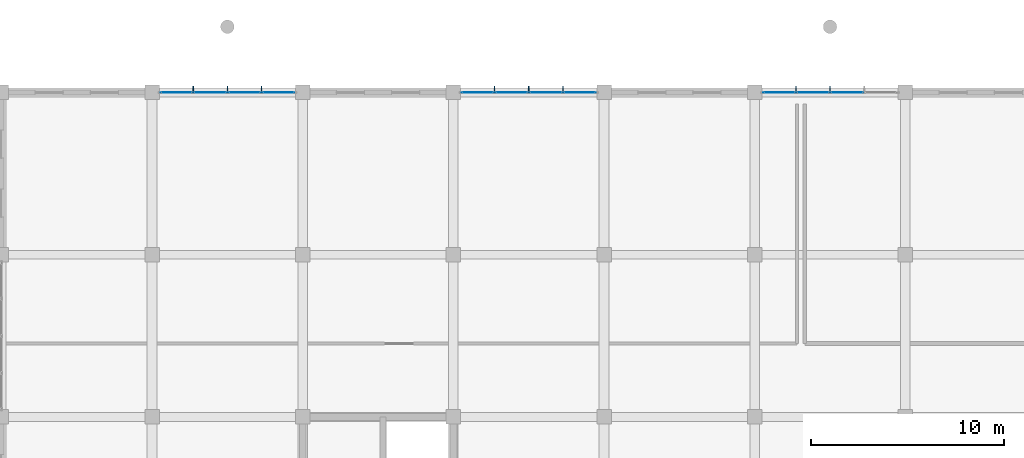
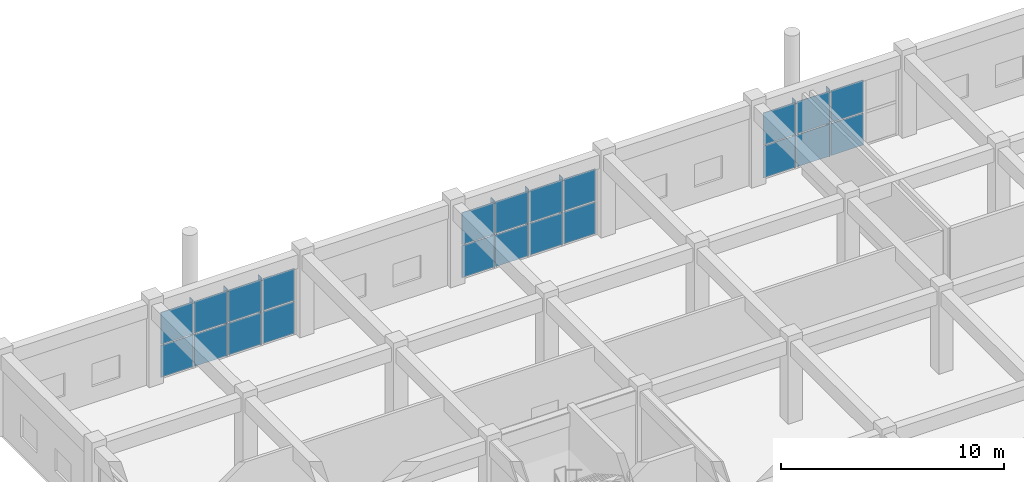
# One storey, part 155 of 175: 30 plates, 3 elements without a shape of their own.
"""IFC4 building model written with IfcOpenShell, lengths in metres."""

from ifc_helpers import new_model, si_unit, direction, frame, origin, origin_2d, place, context, subcontext, project, spatial, polyline, rectangle, outline, extrude, material, layer, layer_set, type_object, element, aggregate, save


model = new_model("IFC4")

# Units and contexts
model_context = context("Model", 3, precision=1e-05, world=origin(), true_north=direction((0.0, 1.0)))
body_context = subcontext(model_context, "Body", "Model", "MODEL_VIEW")
ifc_project = project(units=[si_unit("LENGTHUNIT", "METRE"), si_unit("AREAUNIT", "SQUARE_METRE"), si_unit("VOLUMEUNIT", "CUBIC_METRE"), si_unit("PLANEANGLEUNIT", "RADIAN"), si_unit("MASSUNIT", "GRAM", prefix="KILO")], contexts=[model_context])

# Site, building, storey
site_placement = place(None, origin())
site = spatial("IfcSite", under=ifc_project, at=site_placement, CompositionType="ELEMENT")
building_placement = place(site_placement, origin())
building = spatial("IfcBuilding", under=site, at=building_placement, Name="Zizhar Promenade General Hospital", CompositionType="ELEMENT")
storey_placement = place(building_placement, frame((0.0, 0.0, 4.800048828125)))
storey = spatial("IfcBuildingStorey", under=building, at=storey_placement, Name="L01", CompositionType="ELEMENT", Elevation=4.800048828125)

# Curtain wall, plates
ifc_material_1 = material(Name="Anodised aluminium 6063-T6 and low-E glass", Category="aluminium")
ifc_layer_1 = layer(ifc_material_1, 0.159912109375)
ifc_layer_set_1 = layer_set([ifc_layer_1], Name="Anodised aluminium 6063-T6 and low-E glass")
curtain_wall_type = type_object("IfcCurtainWallType", Name="CW-DT-MOD2", PredefinedType="NOTDEFINED", material=ifc_layer_set_1)
curtain_wall_1_placement = place(storey_placement, origin())
curtain_wall_1 = element("IfcCurtainWall", 1, at=curtain_wall_1_placement, inside=storey, type_object=curtain_wall_type, Name="Surgical North Glazed Curtain Wall L01-7", PredefinedType="NOTDEFINED")
ifc_material_2 = material(Name="Low-E solar-control glass", Category="glass")
ifc_layer_2 = layer(ifc_material_2, 0.031982421875)
ifc_layer_set_2 = layer_set([ifc_layer_2], Name="Low-E solar-control glass")
plate_type_1 = type_object("IfcPlateType", Name="CWP-GLZ-32", PredefinedType="CURTAIN_PANEL", material=ifc_layer_set_2)
plate_1_placement = place(storey_placement, frame((55.864990234375, 134.39990234375, 0.06005859375), z_axis=(0.0, 0.0, 1.0), x_axis=(1.0, 0.0, 0.0)))
plate_1 = element("IfcPlate", 2, at=plate_1_placement, type_object=plate_type_1, Name="CW-08 panel 1.1", PredefinedType="CURTAIN_PANEL", context=body_context, shape_type="SweptSolid", body=[
    extrude(rectangle(XDim=1.64990234375, YDim=0.031982421875, at=origin_2d()), origin(), (0.0, 0.0, 1.0), 1.75),
])
plate_2_placement = place(storey_placement, frame((55.864990234375, 134.39990234375, 1.869873046875), z_axis=(0.0, 0.0, 1.0), x_axis=(1.0, 0.0, 0.0)))
plate_2 = element("IfcPlate", 3, at=plate_2_placement, type_object=plate_type_1, Name="CW-08 panel 1.2", PredefinedType="CURTAIN_PANEL", context=body_context, shape_type="SweptSolid", body=[
    extrude(rectangle(XDim=1.64990234375, YDim=0.031982421875, at=origin_2d()), origin(), (0.0, 0.0, 1.0), 1.75),
])
plate_3_placement = place(storey_placement, frame((57.614990234375, 134.39990234375, 0.06005859375), z_axis=(0.0, 0.0, 1.0), x_axis=(1.0, 0.0, 0.0)))
plate_3 = element("IfcPlate", 4, at=plate_3_placement, type_object=plate_type_1, Name="CW-08 panel 2.1", PredefinedType="CURTAIN_PANEL", context=body_context, shape_type="SweptSolid", body=[
    extrude(rectangle(XDim=1.68994140625, YDim=0.031982421875, at=origin_2d()), origin(), (0.0, 0.0, 1.0), 1.75),
])
plate_4_placement = place(storey_placement, frame((57.614990234375, 134.39990234375, 1.869873046875), z_axis=(0.0, 0.0, 1.0), x_axis=(1.0, 0.0, 0.0)))
plate_4 = element("IfcPlate", 5, at=plate_4_placement, type_object=plate_type_1, Name="CW-08 panel 2.2", PredefinedType="CURTAIN_PANEL", context=body_context, shape_type="SweptSolid", body=[
    extrude(rectangle(XDim=1.68994140625, YDim=0.031982421875, at=origin_2d()), origin(), (0.0, 0.0, 1.0), 1.75),
])
plate_5_placement = place(storey_placement, frame((59.385009765625, 134.39990234375, 0.06005859375), z_axis=(0.0, 0.0, 1.0), x_axis=(1.0, 0.0, 0.0)))
plate_5 = element("IfcPlate", 6, at=plate_5_placement, type_object=plate_type_1, Name="CW-08 panel 3.1", PredefinedType="CURTAIN_PANEL", context=body_context, shape_type="SweptSolid", body=[
    extrude(rectangle(XDim=1.68994140625, YDim=0.031982421875, at=origin_2d()), origin(), (0.0, 0.0, 1.0), 1.75),
])
plate_6_placement = place(storey_placement, frame((59.385009765625, 134.39990234375, 1.869873046875), z_axis=(0.0, 0.0, 1.0), x_axis=(1.0, 0.0, 0.0)))
plate_6 = element("IfcPlate", 7, at=plate_6_placement, type_object=plate_type_1, Name="CW-08 panel 3.2", PredefinedType="CURTAIN_PANEL", context=body_context, shape_type="SweptSolid", body=[
    extrude(rectangle(XDim=1.68994140625, YDim=0.031982421875, at=origin_2d()), origin(), (0.0, 0.0, 1.0), 1.75),
])
plate_7_placement = place(storey_placement, frame((61.135009765625, 134.39990234375, 0.06005859375), z_axis=(0.0, 0.0, 1.0), x_axis=(1.0, 0.0, 0.0)))
plate_7 = element("IfcPlate", 8, at=plate_7_placement, type_object=plate_type_1, Name="CW-08 panel 4.1", PredefinedType="CURTAIN_PANEL", context=body_context, shape_type="SweptSolid", body=[
    extrude(rectangle(XDim=1.64990234375, YDim=0.031982421875, at=origin_2d()), origin(), (0.0, 0.0, 1.0), 1.75),
])
plate_8_placement = place(storey_placement, frame((61.135009765625, 134.39990234375, 1.869873046875), z_axis=(0.0, 0.0, 1.0), x_axis=(1.0, 0.0, 0.0)))
plate_8 = element("IfcPlate", 9, at=plate_8_placement, type_object=plate_type_1, Name="CW-08 panel 4.2", PredefinedType="CURTAIN_PANEL", context=body_context, shape_type="SweptSolid", body=[
    extrude(rectangle(XDim=1.64990234375, YDim=0.031982421875, at=origin_2d()), origin(), (0.0, 0.0, 1.0), 1.75),
])
aggregate(curtain_wall_1, [plate_1, plate_2, plate_3, plate_4, plate_5, plate_6, plate_7, plate_8])

curtain_wall_2_placement = place(storey_placement, origin())
curtain_wall_2 = element("IfcCurtainWall", 10, at=curtain_wall_2_placement, inside=storey, type_object=curtain_wall_type, Name="Surgical North Glazed Curtain Wall L01-9", PredefinedType="NOTDEFINED")
plate_9_placement = place(storey_placement, frame((71.465087890625, 134.39990234375, 0.06005859375), z_axis=(0.0, 0.0, 1.0), x_axis=(1.0, 0.0, 0.0)))
plate_9 = element("IfcPlate", 11, at=plate_9_placement, type_object=plate_type_1, Name="CW-08 panel 1.1", PredefinedType="CURTAIN_PANEL", context=body_context, shape_type="SweptSolid", body=[
    extrude(rectangle(XDim=1.64990234375, YDim=0.031982421875, at=origin_2d()), origin(), (0.0, 0.0, 1.0), 1.75),
])
plate_10_placement = place(storey_placement, frame((71.465087890625, 134.39990234375, 1.869873046875), z_axis=(0.0, 0.0, 1.0), x_axis=(1.0, 0.0, 0.0)))
plate_10 = element("IfcPlate", 12, at=plate_10_placement, type_object=plate_type_1, Name="CW-08 panel 1.2", PredefinedType="CURTAIN_PANEL", context=body_context, shape_type="SweptSolid", body=[
    extrude(rectangle(XDim=1.64990234375, YDim=0.031982421875, at=origin_2d()), origin(), (0.0, 0.0, 1.0), 1.75),
])
plate_11_placement = place(storey_placement, frame((73.215087890625, 134.39990234375, 0.06005859375), z_axis=(0.0, 0.0, 1.0), x_axis=(1.0, 0.0, 0.0)))
plate_11 = element("IfcPlate", 13, at=plate_11_placement, type_object=plate_type_1, Name="CW-08 panel 2.1", PredefinedType="CURTAIN_PANEL", context=body_context, shape_type="SweptSolid", body=[
    extrude(rectangle(XDim=1.68994140625, YDim=0.031982421875, at=origin_2d()), origin(), (0.0, 0.0, 1.0), 1.75),
])
plate_12_placement = place(storey_placement, frame((73.215087890625, 134.39990234375, 1.869873046875), z_axis=(0.0, 0.0, 1.0), x_axis=(1.0, 0.0, 0.0)))
plate_12 = element("IfcPlate", 14, at=plate_12_placement, type_object=plate_type_1, Name="CW-08 panel 2.2", PredefinedType="CURTAIN_PANEL", context=body_context, shape_type="SweptSolid", body=[
    extrude(rectangle(XDim=1.68994140625, YDim=0.031982421875, at=origin_2d()), origin(), (0.0, 0.0, 1.0), 1.75),
])
plate_13_placement = place(storey_placement, frame((74.985107421875, 134.39990234375, 0.06005859375), z_axis=(0.0, 0.0, 1.0), x_axis=(1.0, 0.0, 0.0)))
plate_13 = element("IfcPlate", 15, at=plate_13_placement, type_object=plate_type_1, Name="CW-08 panel 3.1", PredefinedType="CURTAIN_PANEL", context=body_context, shape_type="SweptSolid", body=[
    extrude(rectangle(XDim=1.68994140625, YDim=0.031982421875, at=origin_2d()), origin(), (0.0, 0.0, 1.0), 1.75),
])
plate_14_placement = place(storey_placement, frame((74.985107421875, 134.39990234375, 1.869873046875), z_axis=(0.0, 0.0, 1.0), x_axis=(1.0, 0.0, 0.0)))
plate_14 = element("IfcPlate", 16, at=plate_14_placement, type_object=plate_type_1, Name="CW-08 panel 3.2", PredefinedType="CURTAIN_PANEL", context=body_context, shape_type="SweptSolid", body=[
    extrude(rectangle(XDim=1.68994140625, YDim=0.031982421875, at=origin_2d()), origin(), (0.0, 0.0, 1.0), 1.75),
])
plate_15_placement = place(storey_placement, frame((76.735107421875, 134.39990234375, 0.06005859375), z_axis=(0.0, 0.0, 1.0), x_axis=(1.0, 0.0, 0.0)))
plate_15 = element("IfcPlate", 17, at=plate_15_placement, type_object=plate_type_1, Name="CW-08 panel 4.1", PredefinedType="CURTAIN_PANEL", context=body_context, shape_type="SweptSolid", body=[
    extrude(rectangle(XDim=1.64990234375, YDim=0.031982421875, at=origin_2d()), origin(), (0.0, 0.0, 1.0), 1.75),
])
plate_16_placement = place(storey_placement, frame((76.735107421875, 134.39990234375, 1.869873046875), z_axis=(0.0, 0.0, 1.0), x_axis=(1.0, 0.0, 0.0)))
plate_16 = element("IfcPlate", 18, at=plate_16_placement, type_object=plate_type_1, Name="CW-08 panel 4.2", PredefinedType="CURTAIN_PANEL", context=body_context, shape_type="SweptSolid", body=[
    extrude(rectangle(XDim=1.64990234375, YDim=0.031982421875, at=origin_2d()), origin(), (0.0, 0.0, 1.0), 1.75),
])
aggregate(curtain_wall_2, [plate_9, plate_10, plate_11, plate_12, plate_13, plate_14, plate_15, plate_16])

curtain_wall_3_placement = place(storey_placement, origin())
curtain_wall_3 = element("IfcCurtainWall", 19, at=curtain_wall_3_placement, inside=storey, type_object=curtain_wall_type, Name="Surgical North Glazed Curtain Wall L01-11", PredefinedType="NOTDEFINED")
plate_17_placement = place(storey_placement, frame((87.06494140625, 134.39990234375, 0.06005859375), z_axis=(0.0, 0.0, 1.0), x_axis=(1.0, 0.0, 0.0)))
plate_17 = element("IfcPlate", 20, at=plate_17_placement, type_object=plate_type_1, Name="CW-08 panel 1.1", PredefinedType="CURTAIN_PANEL", context=body_context, shape_type="SweptSolid", body=[
    extrude(rectangle(XDim=1.64990234375, YDim=0.031982421875, at=origin_2d()), origin(), (0.0, 0.0, 1.0), 1.75),
])
plate_18_placement = place(storey_placement, frame((87.06494140625, 134.39990234375, 1.869873046875), z_axis=(0.0, 0.0, 1.0), x_axis=(1.0, 0.0, 0.0)))
plate_18 = element("IfcPlate", 21, at=plate_18_placement, type_object=plate_type_1, Name="CW-08 panel 1.2", PredefinedType="CURTAIN_PANEL", context=body_context, shape_type="SweptSolid", body=[
    extrude(rectangle(XDim=1.64990234375, YDim=0.031982421875, at=origin_2d()), origin(), (0.0, 0.0, 1.0), 1.75),
])
plate_19_placement = place(storey_placement, frame((88.81494140625, 134.39990234375, 0.06005859375), z_axis=(0.0, 0.0, 1.0), x_axis=(1.0, 0.0, 0.0)))
plate_19 = element("IfcPlate", 22, at=plate_19_placement, type_object=plate_type_1, Name="CW-08 panel 2.1", PredefinedType="CURTAIN_PANEL", context=body_context, shape_type="SweptSolid", body=[
    extrude(rectangle(XDim=1.68994140625, YDim=0.031982421875, at=origin_2d()), origin(), (0.0, 0.0, 1.0), 1.75),
])
plate_20_placement = place(storey_placement, frame((88.81494140625, 134.39990234375, 1.869873046875), z_axis=(0.0, 0.0, 1.0), x_axis=(1.0, 0.0, 0.0)))
plate_20 = element("IfcPlate", 23, at=plate_20_placement, type_object=plate_type_1, Name="CW-08 panel 2.2", PredefinedType="CURTAIN_PANEL", context=body_context, shape_type="SweptSolid", body=[
    extrude(rectangle(XDim=1.68994140625, YDim=0.031982421875, at=origin_2d()), origin(), (0.0, 0.0, 1.0), 1.75),
])
plate_21_placement = place(storey_placement, frame((90.5849609375, 134.39990234375, 0.06005859375), z_axis=(0.0, 0.0, 1.0), x_axis=(1.0, 0.0, 0.0)))
plate_21 = element("IfcPlate", 24, at=plate_21_placement, type_object=plate_type_1, Name="CW-08 panel 3.1", PredefinedType="CURTAIN_PANEL", context=body_context, shape_type="SweptSolid", body=[
    extrude(rectangle(XDim=1.68994140625, YDim=0.031982421875, at=origin_2d()), origin(), (0.0, 0.0, 1.0), 1.75),
])
plate_22_placement = place(storey_placement, frame((90.5849609375, 134.39990234375, 1.869873046875), z_axis=(0.0, 0.0, 1.0), x_axis=(1.0, 0.0, 0.0)))
plate_22 = element("IfcPlate", 25, at=plate_22_placement, type_object=plate_type_1, Name="CW-08 panel 3.2", PredefinedType="CURTAIN_PANEL", context=body_context, shape_type="SweptSolid", body=[
    extrude(rectangle(XDim=1.68994140625, YDim=0.031982421875, at=origin_2d()), origin(), (0.0, 0.0, 1.0), 1.75),
])
aggregate(curtain_wall_3, [plate_17, plate_18, plate_19, plate_20, plate_21, plate_22])

# Plates
ifc_material_3 = material(Name="Anodised aluminium 6063-T6", Category="aluminium")
ifc_layer_3 = layer(ifc_material_3, 0.033935546875)
ifc_layer_set_3 = layer_set([ifc_layer_3], Name="Anodised aluminium 6063-T6")
plate_type_2 = type_object("IfcPlateType", Name="FIN-ALU-320", PredefinedType="USERDEFINED", material=ifc_layer_set_3)
plate_23_placement = place(storey_placement, origin())
element("IfcPlate", 26, at=plate_23_placement, inside=storey, type_object=plate_type_2, Name="Surgical North Glazed Curtain Wall L01-7 Solar Fin 1", ObjectType="SOLAR_SHADE", PredefinedType="USERDEFINED", context=body_context, shape_type="SweptSolid", body=[
    extrude(outline(polyline([(56.712890625, 134.39990234375), (56.7470703125, 134.39990234375), (56.7470703125, 134.719970703125), (56.712890625, 134.719970703125), (56.712890625, 134.39990234375)])), origin(), (0.0, 0.0, 1.0), 3.679931640625),
])
plate_24_placement = place(storey_placement, origin())
element("IfcPlate", 27, at=plate_24_placement, inside=storey, type_object=plate_type_2, Name="Surgical North Glazed Curtain Wall L01-7 Solar Fin 2", ObjectType="SOLAR_SHADE", PredefinedType="USERDEFINED", context=body_context, shape_type="SweptSolid", body=[
    extrude(outline(polyline([(58.48291015625, 134.39990234375), (58.51708984375, 134.39990234375), (58.51708984375, 134.719970703125), (58.48291015625, 134.719970703125), (58.48291015625, 134.39990234375)])), origin(), (0.0, 0.0, 1.0), 3.679931640625),
])
plate_25_placement = place(storey_placement, origin())
element("IfcPlate", 28, at=plate_25_placement, inside=storey, type_object=plate_type_2, Name="Surgical North Glazed Curtain Wall L01-7 Solar Fin 3", ObjectType="SOLAR_SHADE", PredefinedType="USERDEFINED", context=body_context, shape_type="SweptSolid", body=[
    extrude(outline(polyline([(60.2529296875, 134.39990234375), (60.287109375, 134.39990234375), (60.287109375, 134.719970703125), (60.2529296875, 134.719970703125), (60.2529296875, 134.39990234375)])), origin(), (0.0, 0.0, 1.0), 3.679931640625),
])
plate_26_placement = place(storey_placement, origin())
element("IfcPlate", 29, at=plate_26_placement, inside=storey, type_object=plate_type_2, Name="Surgical North Glazed Curtain Wall L01-9 Solar Fin 1", ObjectType="SOLAR_SHADE", PredefinedType="USERDEFINED", context=body_context, shape_type="SweptSolid", body=[
    extrude(outline(polyline([(72.31298828125, 134.39990234375), (72.346923828125, 134.39990234375), (72.346923828125, 134.719970703125), (72.31298828125, 134.719970703125), (72.31298828125, 134.39990234375)])), origin(), (0.0, 0.0, 1.0), 3.679931640625),
])
plate_27_placement = place(storey_placement, origin())
element("IfcPlate", 30, at=plate_27_placement, inside=storey, type_object=plate_type_2, Name="Surgical North Glazed Curtain Wall L01-9 Solar Fin 2", ObjectType="SOLAR_SHADE", PredefinedType="USERDEFINED", context=body_context, shape_type="SweptSolid", body=[
    extrude(outline(polyline([(74.0830078125, 134.39990234375), (74.116943359375, 134.39990234375), (74.116943359375, 134.719970703125), (74.0830078125, 134.719970703125), (74.0830078125, 134.39990234375)])), origin(), (0.0, 0.0, 1.0), 3.679931640625),
])
plate_28_placement = place(storey_placement, origin())
element("IfcPlate", 31, at=plate_28_placement, inside=storey, type_object=plate_type_2, Name="Surgical North Glazed Curtain Wall L01-9 Solar Fin 3", ObjectType="SOLAR_SHADE", PredefinedType="USERDEFINED", context=body_context, shape_type="SweptSolid", body=[
    extrude(outline(polyline([(75.85302734375, 134.39990234375), (75.886962890625, 134.39990234375), (75.886962890625, 134.719970703125), (75.85302734375, 134.719970703125), (75.85302734375, 134.39990234375)])), origin(), (0.0, 0.0, 1.0), 3.679931640625),
])
plate_29_placement = place(storey_placement, origin())
element("IfcPlate", 32, at=plate_29_placement, inside=storey, type_object=plate_type_2, Name="Surgical North Glazed Curtain Wall L01-11 Solar Fin 1", ObjectType="SOLAR_SHADE", PredefinedType="USERDEFINED", context=body_context, shape_type="SweptSolid", body=[
    extrude(outline(polyline([(87.9130859375, 134.39990234375), (87.947021484375, 134.39990234375), (87.947021484375, 134.719970703125), (87.9130859375, 134.719970703125), (87.9130859375, 134.39990234375)])), origin(), (0.0, 0.0, 1.0), 3.679931640625),
])
plate_30_placement = place(storey_placement, origin())
element("IfcPlate", 33, at=plate_30_placement, inside=storey, type_object=plate_type_2, Name="Surgical North Glazed Curtain Wall L01-11 Solar Fin 2", ObjectType="SOLAR_SHADE", PredefinedType="USERDEFINED", context=body_context, shape_type="SweptSolid", body=[
    extrude(outline(polyline([(89.68310546875, 134.39990234375), (89.717041015625, 134.39990234375), (89.717041015625, 134.719970703125), (89.68310546875, 134.719970703125), (89.68310546875, 134.39990234375)])), origin(), (0.0, 0.0, 1.0), 3.679931640625),
])

save(model, "model.ifc")
